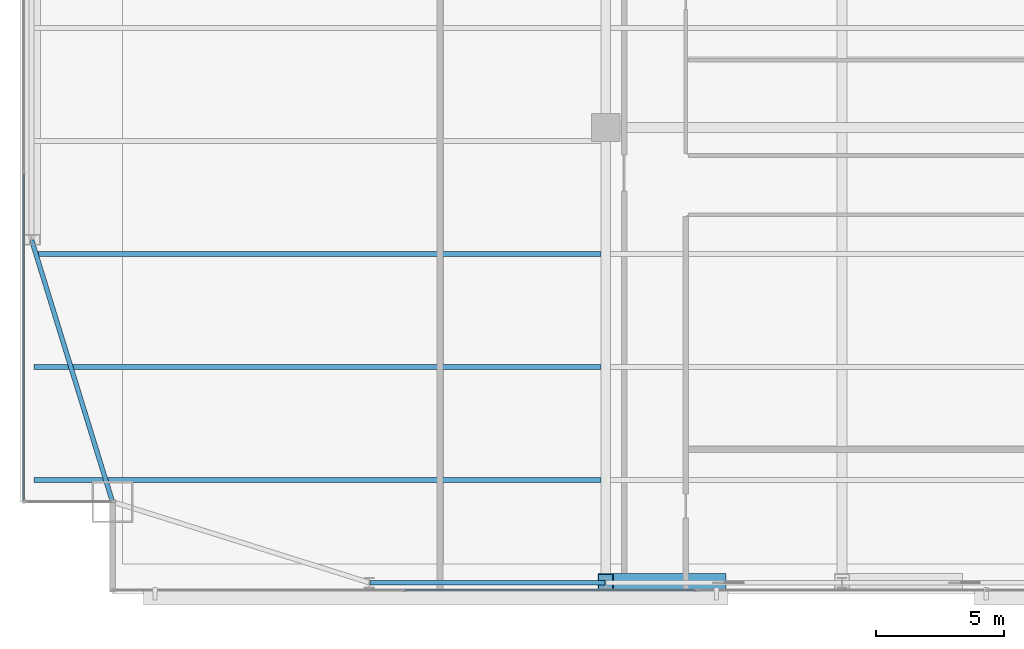
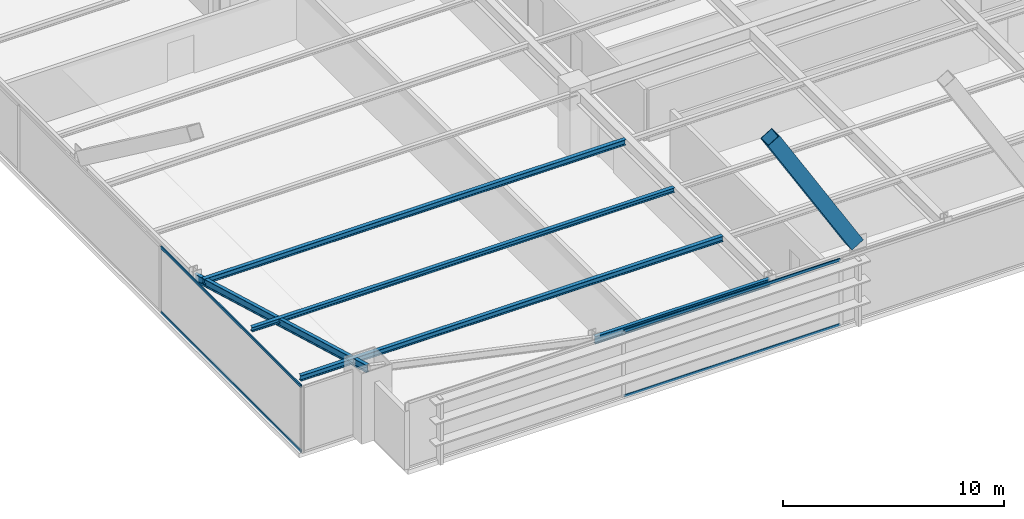
# One storey, part 5 of 35: 5 beams, 5 members, 2 elements without a shape of their own.
"""IFC4 building model written with IfcOpenShell, lengths in metres."""

from ifc_helpers import new_model, si_unit, direction, frame, origin, origin_2d, place, context, subcontext, project, spatial, hollow_rectangle, i_section, extrude, source, transform, mapped, material, layer, layer_set, material_profile, profile_set, type_object, type_shapes, element, aggregate, save


model = new_model("IFC4")

# Units and contexts
model_context = context("Model", 3, precision=1e-05, world=origin(), true_north=direction((0.0, 1.0)))
body_context = subcontext(model_context, "Body", "Model", "MODEL_VIEW")
ifc_project = project(units=[si_unit("LENGTHUNIT", "METRE"), si_unit("AREAUNIT", "SQUARE_METRE"), si_unit("VOLUMEUNIT", "CUBIC_METRE"), si_unit("PLANEANGLEUNIT", "RADIAN"), si_unit("MASSUNIT", "GRAM", prefix="KILO")], contexts=[model_context])

# Site, building, storey
site_placement = place(None, origin())
site = spatial("IfcSite", under=ifc_project, at=site_placement, CompositionType="ELEMENT")
building_placement = place(site_placement, origin())
building = spatial("IfcBuilding", under=site, at=building_placement, Name="Varnel Quay Broadcast Tower", CompositionType="ELEMENT")
storey_placement = place(building_placement, frame((0.0, 0.0, 31.5)))
storey = spatial("IfcBuildingStorey", under=building, at=storey_placement, Name="L06", CompositionType="ELEMENT", Elevation=31.5)

# Beams
ifc_material_1 = material(Name="Structural Steel CSA G40.21 350W", Category="steel")
ifc_material_profile_1 = material_profile(ifc_material_1, i_section(OverallWidth=0.180908203125, OverallDepth=0.4169921875, WebThickness=0.010986328125, FlangeThickness=0.018310546875, FilletRadius=0.011962890625, at=origin_2d()), Name="W410X85")
ifc_profile_set_1 = profile_set([ifc_material_profile_1], Name="Structural Steel CSA G40.21 350W")
beam_type_1 = type_object("IfcBeamType", Name="Beam_W410X85", PredefinedType="SPANDREL", material=ifc_profile_set_1)
shared_shape_1 = source(origin(), body_context, "Body", "SweptSolid", [
    extrude(i_section(OverallWidth=0.180908203125, OverallDepth=0.4169921875, WebThickness=0.010986328125, FlangeThickness=0.018310546875, FilletRadius=0.011962890625, at=origin_2d()), origin(), (0.0, 0.0, 1.0), 9.159912109375),
])
beam_1_placement = place(storey_placement, frame((15.6201171875, 1.64990234375, 3.44140625), z_axis=(1.0, 0.0, 0.0), x_axis=(0.0, 1.0, 0.0)))
element("IfcBeam", 1, at=beam_1_placement, inside=storey, type_object=beam_type_1, Name="L06 South Spandrel TC-S1-TC-S2", PredefinedType="SPANDREL", context=body_context, shape_type="MappedRepresentation", body=[
    mapped(shared_shape_1, transform((0.0, 0.0, 0.0), x_axis=(1.0, 0.0, 0.0), y_axis=(0.0, 1.0, 0.0), z_axis=(0.0, 0.0, 1.0), scale=1.0)),
])
shared_shape_2 = source(origin(), body_context, "Body", "SweptSolid", [
    extrude(i_section(OverallWidth=0.180908203125, OverallDepth=0.4169921875, WebThickness=0.010986328125, FlangeThickness=0.018310546875, FilletRadius=0.011962890625, at=origin_2d()), origin(), (0.0, 0.0, 1.0), 10.635498046875),
])
type_shapes(beam_type_1, [shared_shape_1, shared_shape_2])
beam_2_placement = place(storey_placement, frame((5.593994140625, 4.819091796875, 3.44140625), z_axis=(-0.295069676324, 0.955475738108, 0.0), x_axis=(-0.955475738108, -0.295069676324, 0.0)))
element("IfcBeam", 2, at=beam_2_placement, inside=storey, type_object=beam_type_1, Name="L06 West Spandrel MC-SW-TC-W1", PredefinedType="SPANDREL", context=body_context, shape_type="MappedRepresentation", body=[
    mapped(shared_shape_2, transform((0.0, 0.0, 0.0), x_axis=(1.0, 0.0, 0.0), y_axis=(0.0, 1.0, 0.0), z_axis=(0.0, 0.0, 1.0), scale=1.0)),
])
ifc_material_profile_2 = material_profile(ifc_material_1, i_section(OverallWidth=0.202880859375, OverallDepth=0.302978515625, WebThickness=0.007568359375, FlangeThickness=0.01318359375, FilletRadius=0.011962890625, at=origin_2d()), Name="W310X60")
ifc_profile_set_2 = profile_set([ifc_material_profile_2], Name="Structural Steel CSA G40.21 350W")
beam_type_2 = type_object("IfcBeamType", Name="Beam_W310X60", PredefinedType="JOIST", material=ifc_profile_set_2)
shared_shape_3 = source(origin(), body_context, "Body", "SweptSolid", [
    extrude(i_section(OverallWidth=0.202880859375, OverallDepth=0.302978515625, WebThickness=0.007568359375, FlangeThickness=0.01318359375, FilletRadius=0.011962890625, at=origin_2d()), origin(), (0.0, 0.0, 1.0), 22.0791015625),
])
type_shapes(beam_type_2, [shared_shape_3])
for number, where, z_axis, x_axis, name in (
    (3, (2.535400390625, 5.64990234375, 3.49853515625), (1.0, 0.0, 0.0), (0.0, 1.0, 0.0), "L06 West Floor Joist 1"),
    (4, (2.535400390625, 14.449951171875, 3.49853515625), (1.0, 0.0, 0.0), (0.0, 1.0, 0.0), "L06 West Floor Joist 3"),
):
    element("IfcBeam", number, at=place(storey_placement, frame(where, z_axis=z_axis, x_axis=x_axis)), inside=storey, type_object=beam_type_2, Name=name, PredefinedType="JOIST", context=body_context, shape_type="MappedRepresentation", body=[
        mapped(shared_shape_3, transform((0.0, 0.0, 0.0), x_axis=(1.0, 0.0, 0.0), y_axis=(0.0, 1.0, 0.0), z_axis=(0.0, 0.0, 1.0), scale=1.0)),
    ])
ifc_material_profile_3 = material_profile(ifc_material_1, i_section(OverallWidth=0.201904296875, OverallDepth=0.2470703125, WebThickness=0.00732421875, FlangeThickness=0.010986328125, FilletRadius=0.010986328125, at=origin_2d()), Name="W250X49")
ifc_profile_set_3 = profile_set([ifc_material_profile_3], Name="Structural Steel CSA G40.21 350W")
beam_type_3 = type_object("IfcBeamType", Name="Beam_W250X49", PredefinedType="JOIST", material=ifc_profile_set_3)
shared_shape_4 = source(origin(), body_context, "Body", "SweptSolid", [
    extrude(i_section(OverallWidth=0.201904296875, OverallDepth=0.2470703125, WebThickness=0.00732421875, FlangeThickness=0.010986328125, FilletRadius=0.010986328125, at=origin_2d()), origin(), (0.0, 0.0, 1.0), 22.0791015625),
])
type_shapes(beam_type_3, [shared_shape_4])
beam_3_placement = place(storey_placement, frame((2.535400390625, 10.050048828125, 3.526611328125), z_axis=(1.0, 0.0, 0.0), x_axis=(0.0, 1.0, 0.0)))
element("IfcBeam", 5, at=beam_3_placement, inside=storey, type_object=beam_type_3, Name="L06 West Floor Joist 2", PredefinedType="JOIST", context=body_context, shape_type="MappedRepresentation", body=[
    mapped(shared_shape_4, transform((0.0, 0.0, 0.0), x_axis=(1.0, 0.0, 0.0), y_axis=(0.0, 1.0, 0.0), z_axis=(0.0, 0.0, 1.0), scale=1.0)),
])

# Member
ifc_material_2 = material(Name="Structural Steel CSA G40.21 350WT", Category="steel")
ifc_material_profile_4 = material_profile(ifc_material_2, hollow_rectangle(XDim=0.699951171875, YDim=0.699951171875, WallThickness=0.031982421875, at=origin_2d()), Name="BOX700X700X32")
ifc_profile_set_4 = profile_set([ifc_material_profile_4], Name="Structural Steel CSA G40.21 350WT")
member_type_1 = type_object("IfcMemberType", Name="Brace_BOX700X700X32", PredefinedType="BRACE", material=ifc_profile_set_4)
shared_shape_5 = source(origin(), body_context, "Body", "SweptSolid", [
    extrude(hollow_rectangle(XDim=0.699951171875, YDim=0.699951171875, WallThickness=0.031982421875, at=origin_2d()), origin(), (0.0, 0.0, 1.0), 8.50927734375),
])
type_shapes(member_type_1, [shared_shape_5])
member_1_placement = place(storey_placement, frame((29.182861328125, 1.64990234375, 4.13623046875), z_axis=(-0.515065247535, 0.0, 0.857150973156), x_axis=(0.0, -1.0, 0.0)))
element("IfcMember", 6, at=member_1_placement, inside=storey, type_object=member_type_1, Name="Zone 1 Mega-Brace S-C1T1 Split Diag B2", PredefinedType="BRACE", context=body_context, shape_type="MappedRepresentation", body=[
    mapped(shared_shape_5, transform((0.0, 0.0, 0.0), x_axis=(1.0, 0.0, 0.0), y_axis=(0.0, 1.0, 0.0), z_axis=(0.0, 0.0, 1.0), scale=1.0)),
])

# Curtain wall, members
ifc_material_3 = material(Name="Anodised Bronze Aluminium 6063-T6", Category="aluminium")
ifc_layer = layer(ifc_material_3, 0.18994140625, Name="Anodised Bronze Aluminium 6063-T6")
ifc_layer_set = layer_set([ifc_layer], Name="Anodised Bronze Aluminium 6063-T6")
curtain_wall_type = type_object("IfcCurtainWallType", Name="CW_LowerTower", PredefinedType="NOTDEFINED", material=ifc_layer_set)
curtain_wall_1_placement = place(storey_placement, origin())
curtain_wall_1 = element("IfcCurtainWall", 7, at=curtain_wall_1_placement, inside=storey, type_object=curtain_wall_type, Name="L06 West Unitised Curtain Wall", PredefinedType="NOTDEFINED")
ifc_material_profile_5 = material_profile(ifc_material_3, hollow_rectangle(XDim=0.06005859375, YDim=0.14501953125, WallThickness=0.00341796875, at=origin_2d()), Name="ALU60X145X3.5")
ifc_profile_set_5 = profile_set([ifc_material_profile_5], Name="Anodised Bronze Aluminium 6063-T6")
member_type_2 = type_object("IfcMemberType", Name="Tran_CWS-02", PredefinedType="USERDEFINED", material=ifc_profile_set_5)
shared_shape_6 = source(origin(), body_context, "Body", "SweptSolid", [
    extrude(hollow_rectangle(XDim=0.06005859375, YDim=0.14501953125, WallThickness=0.00341796875, at=origin_2d()), origin(), (0.0, 0.0, 1.0), 12.69482421875),
])
member_2_placement = place(storey_placement, frame((2.14990234375, 4.8701171875, 0.030029296875), z_axis=(0.0, 1.0, 0.0), x_axis=(-1.0, 0.0, 0.0)))
member_2 = element("IfcMember", 8, at=member_2_placement, type_object=member_type_2, Name="CWS-02 transom 1.1", ObjectType="TRANSOM", PredefinedType="USERDEFINED", context=body_context, shape_type="MappedRepresentation", body=[
    mapped(shared_shape_6, transform((0.0, 0.0, 0.0), x_axis=(1.0, 0.0, 0.0), y_axis=(0.0, 1.0, 0.0), z_axis=(0.0, 0.0, 1.0), scale=1.0)),
])
member_3_placement = place(storey_placement, frame((2.14990234375, 4.8701171875, 3.6201171875), z_axis=(0.0, 1.0, 0.0), x_axis=(-1.0, 0.0, 0.0)))
member_3 = element("IfcMember", 9, at=member_3_placement, type_object=member_type_2, Name="CWS-02 transom 1.2", ObjectType="TRANSOM", PredefinedType="USERDEFINED", context=body_context, shape_type="MappedRepresentation", body=[
    mapped(shared_shape_6, transform((0.0, 0.0, 0.0), x_axis=(1.0, 0.0, 0.0), y_axis=(0.0, 1.0, 0.0), z_axis=(0.0, 0.0, 1.0), scale=1.0)),
])
aggregate(curtain_wall_1, [member_2, member_3])

curtain_wall_2_placement = place(storey_placement, origin())
curtain_wall_2 = element("IfcCurtainWall", 10, at=curtain_wall_2_placement, inside=storey, type_object=curtain_wall_type, Name="L06 South Unitised Curtain Wall 1", PredefinedType="NOTDEFINED")
shared_shape_7 = source(origin(), body_context, "Body", "SweptSolid", [
    extrude(hollow_rectangle(XDim=0.06005859375, YDim=0.14501953125, WallThickness=0.00341796875, at=origin_2d()), origin(), (0.0, 0.0, 1.0), 11.289794921875),
])
type_shapes(member_type_2, [shared_shape_6, shared_shape_7])
member_4_placement = place(storey_placement, frame((16.9951171875, 1.35009765625, 0.030029296875), z_axis=(1.0, 0.0, 0.0), x_axis=(0.0, 1.0, 0.0)))
member_4 = element("IfcMember", 11, at=member_4_placement, type_object=member_type_2, Name="CWS-02 transom 2.1", ObjectType="TRANSOM", PredefinedType="USERDEFINED", context=body_context, shape_type="MappedRepresentation", body=[
    mapped(shared_shape_7, transform((0.0, 0.0, 0.0), x_axis=(1.0, 0.0, 0.0), y_axis=(0.0, 1.0, 0.0), z_axis=(0.0, 0.0, 1.0), scale=1.0)),
])
member_5_placement = place(storey_placement, frame((16.9951171875, 1.35009765625, 3.6201171875), z_axis=(1.0, 0.0, 0.0), x_axis=(0.0, 1.0, 0.0)))
member_5 = element("IfcMember", 12, at=member_5_placement, type_object=member_type_2, Name="CWS-02 transom 2.2", ObjectType="TRANSOM", PredefinedType="USERDEFINED", context=body_context, shape_type="MappedRepresentation", body=[
    mapped(shared_shape_7, transform((0.0, 0.0, 0.0), x_axis=(1.0, 0.0, 0.0), y_axis=(0.0, 1.0, 0.0), z_axis=(0.0, 0.0, 1.0), scale=1.0)),
])
aggregate(curtain_wall_2, [member_4, member_5])

save(model, "model.ifc")
